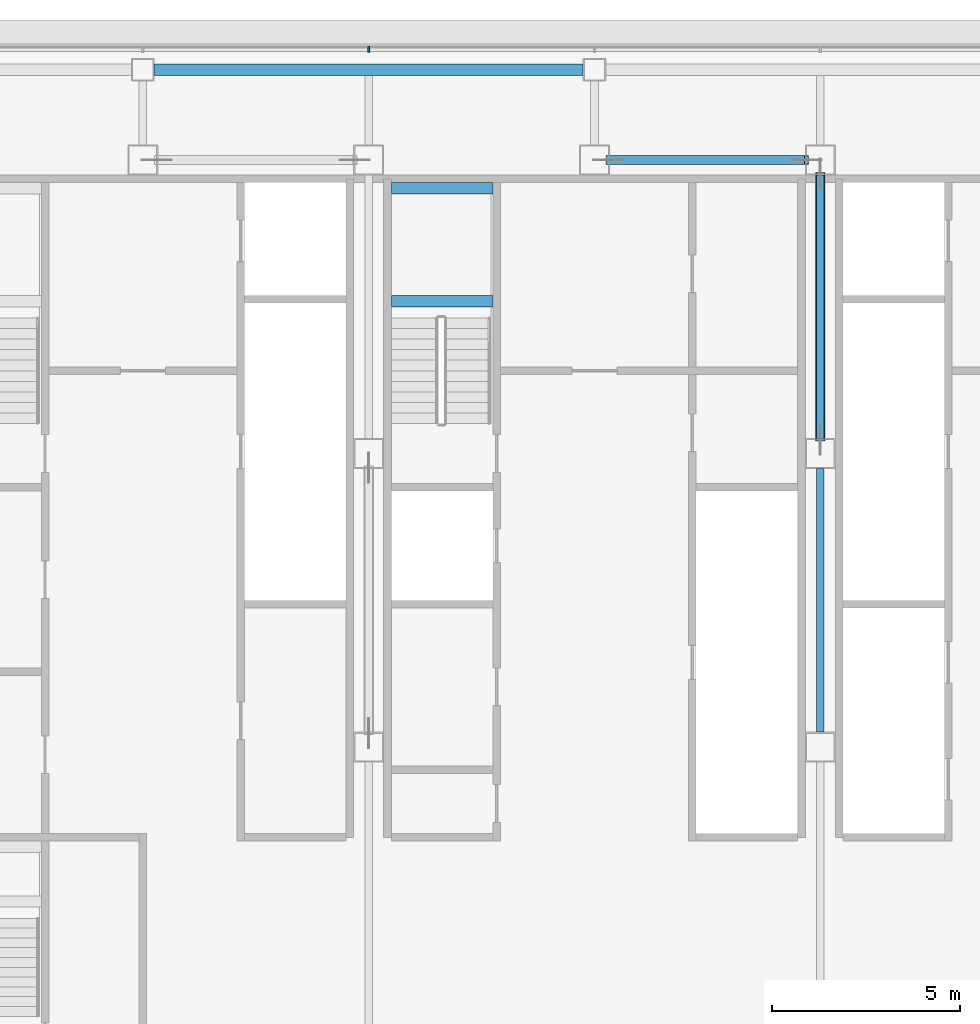
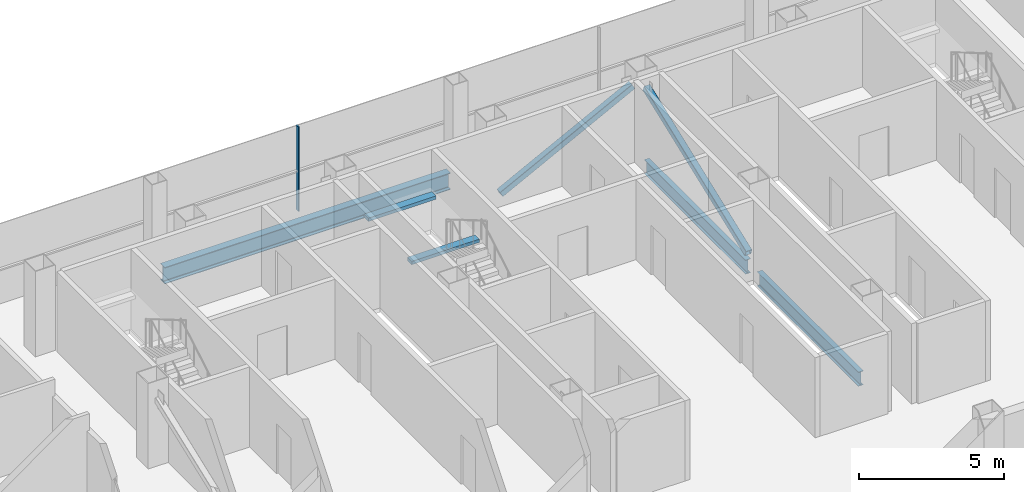
# One storey, part 14 of 28: 5 beams, 3 members, 1 element without a shape of its own.
"""IFC4 building model written with IfcOpenShell, lengths in metres."""

from ifc_helpers import new_model, si_unit, direction, frame, origin, origin_2d, place, context, subcontext, project, spatial, rectangle, hollow_rectangle, i_section, extrude, material, material_profile, profile_set, type_object, element, aggregate, save


model = new_model("IFC4")

# Units and contexts
model_context = context("Model", 3, precision=1e-05, world=origin(), true_north=direction((0.0, 1.0)))
body_context = subcontext(model_context, "Body", "Model", "MODEL_VIEW")
ifc_project = project(units=[si_unit("LENGTHUNIT", "METRE"), si_unit("AREAUNIT", "SQUARE_METRE"), si_unit("VOLUMEUNIT", "CUBIC_METRE"), si_unit("PLANEANGLEUNIT", "RADIAN"), si_unit("MASSUNIT", "GRAM", prefix="KILO")], contexts=[model_context])

# Site, building, storey
site_placement = place(None, origin())
site = spatial("IfcSite", under=ifc_project, at=site_placement, CompositionType="ELEMENT")
building_placement = place(site_placement, origin())
building = spatial("IfcBuilding", under=site, at=building_placement, Name="Sorahane Residences", CompositionType="ELEMENT")
storey_placement = place(building_placement, frame((0.0, 0.0, 254.0)))
storey = spatial("IfcBuildingStorey", under=building, at=storey_placement, Name="L60", CompositionType="ELEMENT", Elevation=254.0)

# Members
ifc_material_1 = material(Name="Steel Q355B", Category="steel")
ifc_material_profile_1 = material_profile(ifc_material_1, hollow_rectangle(XDim=0.25, YDim=0.25, WallThickness=0.013916015625, InnerFilletRadius=0.007080078125, OuterFilletRadius=0.02099609375, at=origin_2d()), Name="RHS 250x250x14")
ifc_profile_set_1 = profile_set([ifc_material_profile_1], Name="Steel Q355B")
member_type_1 = type_object("IfcMemberType", Name="Core brace RHS 250x250x14 Q355B", PredefinedType="BRACE", material=ifc_profile_set_1)
member_1_placement = place(storey_placement, frame((24.36572265625, 45.60009765625, 0.107177734375), z_axis=(0.888873413778, 0.0, 0.458152872171), x_axis=(0.0, 1.0, 0.0)))
element("IfcMember", 1, at=member_1_placement, inside=storey, type_object=member_type_1, Name="Core brace L60 y45.6-4", PredefinedType="BRACE", context=body_context, shape_type="SweptSolid", body=[
    extrude(hollow_rectangle(XDim=0.25, YDim=0.25, WallThickness=0.013916015625, InnerFilletRadius=0.007080078125, OuterFilletRadius=0.02099609375, at=origin_2d()), origin(), (0.0, 0.0, 1.0), 5.92724609375),
])
member_2_placement = place(storey_placement, frame((30.0, 38.173095703125, 0.11474609375), z_axis=(0.0, 0.933900158033, 0.357533907241), x_axis=(-1.0, 0.0, 0.0)))
element("IfcMember", 2, at=member_2_placement, inside=storey, type_object=member_type_1, Name="Core brace L60 x30-2", PredefinedType="BRACE", context=body_context, shape_type="SweptSolid", body=[
    extrude(hollow_rectangle(XDim=0.25, YDim=0.25, WallThickness=0.013916015625, InnerFilletRadius=0.007080078125, OuterFilletRadius=0.02099609375, at=origin_2d()), origin(), (0.0, 0.0, 1.0), 7.552978515625),
])

# Curtain wall, member
ifc_material_2 = material(Name="Dark low-e glass and black anodised aluminium", Category="aluminium")
curtain_wall_type = type_object("IfcCurtainWallType", Name="Curtain wall CW-1 Typical unitised wall", PredefinedType="NOTDEFINED", material=ifc_material_2)
curtain_wall_placement = place(storey_placement, origin())
curtain_wall = element("IfcCurtainWall", 3, at=curtain_wall_placement, inside=storey, type_object=curtain_wall_type, Name="CW-1 curtain wall L60 N1", PredefinedType="NOTDEFINED")
ifc_material_3 = material(Name="Black anodised aluminium", Category="aluminium")
ifc_material_profile_2 = material_profile(ifc_material_3, rectangle(XDim=0.159912109375, YDim=0.050048828125, at=origin_2d()), Name="Curtain wall mullion CW-1 black anodised aluminium 50x160")
ifc_profile_set_2 = profile_set([ifc_material_profile_2], Name="Black anodised aluminium")
member_type_2 = type_object("IfcMemberType", Name="Curtain wall mullion CW-1 black anodised aluminium 50x160", PredefinedType="MULLION", material=ifc_profile_set_2)
member_3_placement = place(storey_placement, frame((18.0, 48.5400390625, -0.179931640625), z_axis=(0.0, 0.0, 1.0), x_axis=(0.0, 1.0, 0.0)))
member_3 = element("IfcMember", 4, at=member_3_placement, type_object=member_type_2, Name="CW-1 mullion L60 N1.6", PredefinedType="MULLION", context=body_context, shape_type="SweptSolid", body=[
    extrude(rectangle(XDim=0.159912109375, YDim=0.050048828125, at=origin_2d()), origin(), (0.0, 0.0, 1.0), 3.559814453125),
])
aggregate(curtain_wall, [member_3])

# Beams
ifc_material_4 = material(Name="Concrete C40", Category="concrete")
ifc_material_profile_3 = material_profile(ifc_material_4, rectangle(XDim=0.300048828125, YDim=0.139892578125, at=origin_2d()), Name="300x140")
ifc_profile_set_3 = profile_set([ifc_material_profile_3], Name="Concrete C40")
beam_type_1 = type_object("IfcBeamType", Name="RC landing beam 300 x 140 Concrete C40", PredefinedType="BEAM", material=ifc_profile_set_3)
for number, where, z_axis, x_axis, name in (
    (5, (18.60009765625, 41.85009765625, 1.530029296875), (1.0, 0.0, 0.0), (0.0, 1.0, 0.0), "Landing beam"),
    (6, (18.60009765625, 44.85009765625, 1.530029296875), (1.0, 0.0, 0.0), (0.0, 1.0, 0.0), "Landing beam"),
):
    element("IfcBeam", number, at=place(storey_placement, frame(where, z_axis=z_axis, x_axis=x_axis)), inside=storey, type_object=beam_type_1, Name=name, PredefinedType="BEAM", context=body_context, shape_type="SweptSolid", body=[
        extrude(rectangle(XDim=0.300048828125, YDim=0.139892578125, at=origin_2d()), origin(), (0.0, 0.0, 1.0), 2.699951171875),
    ])
ifc_material_5 = material(Name="Steel Q355B", Category="steel")
ifc_material_profile_4 = material_profile(ifc_material_5, i_section(OverallWidth=0.199951171875, OverallDepth=0.60009765625, WebThickness=0.010986328125, FlangeThickness=0.01708984375, FilletRadius=0.02392578125, at=origin_2d()), Name="HN 600x200x11x17")
ifc_profile_set_4 = profile_set([ifc_material_profile_4], Name="Steel Q355B")
beam_type_2 = type_object("IfcBeamType", Name="Steel floor beam HN 600x200x11x17 Q355B", PredefinedType="BEAM", material=ifc_profile_set_4)
for number, where, z_axis, x_axis, name in (
    (7, (30.0, 30.39990234375, -0.47998046875), (0.0, 1.0, 0.0), (-1.0, 0.0, 0.0), "Beam L60 047"),
    (8, (30.0, 38.199951171875, -0.47998046875), (0.0, 1.0, 0.0), (-1.0, 0.0, 0.0), "Beam L60 048"),
):
    element("IfcBeam", number, at=place(storey_placement, frame(where, z_axis=z_axis, x_axis=x_axis)), inside=storey, type_object=beam_type_2, Name=name, PredefinedType="BEAM", context=body_context, shape_type="SweptSolid", body=[
        extrude(i_section(OverallWidth=0.199951171875, OverallDepth=0.60009765625, WebThickness=0.010986328125, FlangeThickness=0.01708984375, FilletRadius=0.02392578125, at=origin_2d()), origin(), (0.0, 0.0, 1.0), 7.0),
    ])
ifc_material_6 = material(Name="Steel Q355B", Category="steel")
ifc_material_profile_5 = material_profile(ifc_material_6, i_section(OverallWidth=0.300048828125, OverallDepth=0.699951171875, WebThickness=0.012939453125, FlangeThickness=0.02392578125, FilletRadius=0.028076171875, at=origin_2d()), Name="HN 700x300x13x24")
ifc_profile_set_5 = profile_set([ifc_material_profile_5], Name="Steel Q355B")
beam_type_3 = type_object("IfcBeamType", Name="Steel floor beam HN 700x300x13x24 Q355B", PredefinedType="BEAM", material=ifc_profile_set_5)
beam_placement = place(storey_placement, frame((12.300048828125, 48.0, -0.530029296875), z_axis=(1.0, 0.0, 0.0), x_axis=(0.0, 1.0, 0.0)))
element("IfcBeam", 9, at=beam_placement, inside=storey, type_object=beam_type_3, Name="Beam L60 017", PredefinedType="BEAM", context=body_context, shape_type="SweptSolid", body=[
    extrude(i_section(OverallWidth=0.300048828125, OverallDepth=0.699951171875, WebThickness=0.012939453125, FlangeThickness=0.02392578125, FilletRadius=0.028076171875, at=origin_2d()), origin(), (0.0, 0.0, 1.0), 11.39990234375),
])

save(model, "model.ifc")
